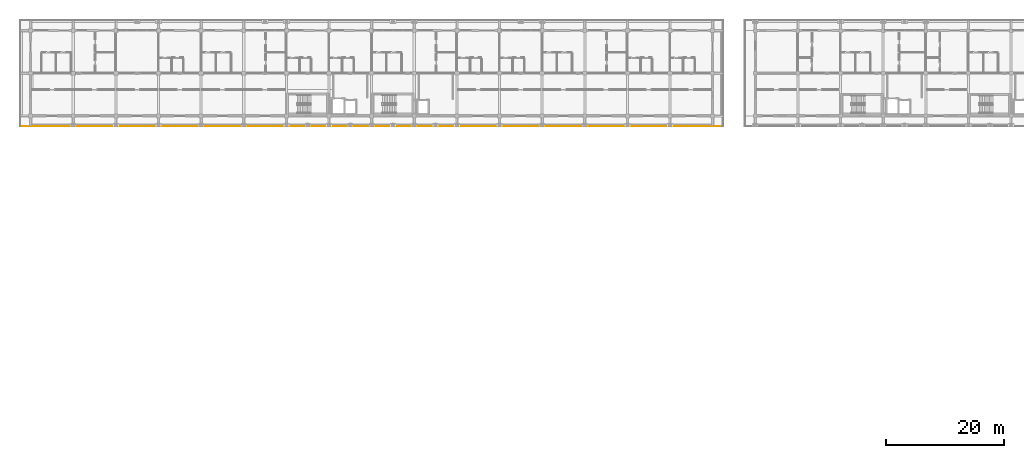
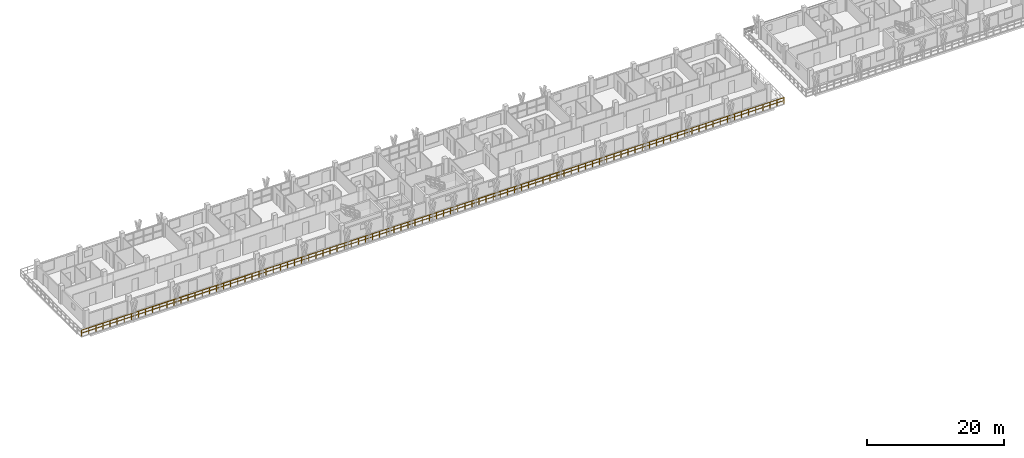
# One storey, part 69 of 78: 1 railing.
"""IFC4 building model written with IfcOpenShell, lengths in metres."""

import ifcopenshell
import ifcopenshell.guid

model = None  # the IFC model being written
_history = None  # IfcOwnerHistory: only IFC2X3 demands one
_inside = {}  # id of a spatial element -> (the spatial element, [elements in it])
_under = {}  # id of a project, library or spatial element -> (it, [spatial elements below it])
_declared = {}  # id of a project -> (the project, [libraries it declares])
_typed = {}  # id of a type object -> (the type object, [elements of that type])
_made_of = {}  # id of a material, layer set ... -> (it, [elements and type objects made of it])


def new_model(schema):
    """Start an empty IFC model of exactly this schema.

    Asked for "IFC4X3", IfcOpenShell would pick the latest addendum, in which some entities
    have other attributes; the version numbers below select the first issue.
    IFC2X3 requires an IfcOwnerHistory on every rooted entity: one is made here for all.
    """
    global model, _history
    if schema == "IFC4X3":
        model = ifcopenshell.file(schema_version=(4, 3, 0, 0))
    else:
        model = ifcopenshell.file(schema=schema)
    _inside.clear()
    _under.clear()
    _declared.clear()
    _typed.clear()
    _made_of.clear()
    _history = None
    if model.schema == "IFC2X3":
        org = make("IfcOrganization", Name="unknown")
        user = make(
            "IfcPersonAndOrganization",
            ThePerson=make("IfcPerson", FamilyName="unknown"),
            TheOrganization=org,
        )
        app = make(
            "IfcApplication",
            ApplicationDeveloper=org,
            Version="unknown",
            ApplicationFullName="unknown",
            ApplicationIdentifier="unknown",
        )
        _history = make(
            "IfcOwnerHistory",
            OwningUser=user,
            OwningApplication=app,
            ChangeAction="ADDED",
            CreationDate=0,
        )
    return model


def make(cls, **values):
    """One entity of the class cls with the attributes given. An attribute that is None is left unset."""
    return model.create_entity(
        cls, **{name: value for name, value in values.items() if value is not None}
    )


def rooted(cls, **values):
    """An entity with a GlobalId (a new one), such as an element, a storey or a relation."""
    return make(cls, GlobalId=ifcopenshell.guid.new(), OwnerHistory=_history, **values)


def si_unit(unit_type, name, prefix=None):
    """IfcSIUnit, for example si_unit("LENGTHUNIT", "METRE", prefix="MILLI")."""
    return make("IfcSIUnit", UnitType=unit_type, Prefix=prefix, Name=name)


def assignment(units):
    """IfcUnitAssignment: the units of a project."""
    return None if units is None else make("IfcUnitAssignment", Units=units)


def point(xyz):
    """IfcCartesianPoint."""
    return None if xyz is None else make("IfcCartesianPoint", Coordinates=xyz)


def direction(xyz):
    """IfcDirection."""
    return None if xyz is None else make("IfcDirection", DirectionRatios=xyz)


def frame(location, z_axis=None, x_axis=None):
    """IfcAxis2Placement3D, a coordinate frame: its origin and axes. An axis left out is left unset."""
    return make(
        "IfcAxis2Placement3D",
        Location=point(location),
        Axis=direction(z_axis),
        RefDirection=direction(x_axis),
    )


def frame_2d(location, x_axis=None):
    """IfcAxis2Placement2D, a coordinate frame in the plane: its origin and x axis."""
    return make(
        "IfcAxis2Placement2D", Location=point(location), RefDirection=direction(x_axis)
    )


def origin():
    """The frame at (0, 0, 0) with its axes left unset."""
    return frame((0.0, 0.0, 0.0))


def origin_2d():
    """The frame at (0, 0) in the plane with its x axis left unset."""
    return frame_2d((0.0, 0.0))


def place(relative_to, where):
    """IfcLocalPlacement: puts the frame where relative to a parent placement (None: the world)."""
    return make(
        "IfcLocalPlacement", PlacementRelTo=relative_to, RelativePlacement=where
    )


def context(
    kind, dimensions, precision=None, world=None, true_north=None, identifier=None
):
    """IfcGeometricRepresentationContext, for example the 3D "Model" context."""
    return make(
        "IfcGeometricRepresentationContext",
        ContextIdentifier=identifier,
        ContextType=kind,
        CoordinateSpaceDimension=dimensions,
        Precision=precision,
        WorldCoordinateSystem=world,
        TrueNorth=true_north,
    )


def subcontext(parent, identifier, kind, view, scale=None):
    """IfcGeometricRepresentationSubContext, for example "Body" below "Model"."""
    return make(
        "IfcGeometricRepresentationSubContext",
        ContextIdentifier=identifier,
        ContextType=kind,
        ParentContext=parent,
        TargetScale=scale,
        TargetView=view,
    )


def project(units=None, contexts=None):
    """IfcProject with its units and contexts."""
    return rooted(
        "IfcProject",
        Name="project",
        RepresentationContexts=contexts,
        UnitsInContext=assignment(units),
    )


def spatial(cls, under=None, at=None, **own):
    """A site, building, storey or space (cls), placed at a placement, below another one or the project."""
    s = rooted(cls, ObjectPlacement=at, **own)
    if under is not None:
        _under.setdefault(under.id(), (under, []))[1].append(s)
    return s


def profile(cls, at=None, kind="AREA", **sizes):
    """A parametric profile (cls). Its sizes go by their IFC names, for example OverallWidth=200.0."""
    return make(cls, ProfileType=kind, Position=at, **sizes)


def rectangle(**sizes):
    """IfcRectangleProfileDef."""
    return profile("IfcRectangleProfileDef", **sizes)


def extrude(swept, where, along, depth):
    """IfcExtrudedAreaSolid: the profile swept, set in the frame where, extruded along a direction by depth."""
    return make(
        "IfcExtrudedAreaSolid",
        SweptArea=swept,
        Position=where,
        ExtrudedDirection=direction(along),
        Depth=depth,
    )


def shape(context_of_items, identifier, shape_type, items):
    """IfcShapeRepresentation: the items that make up one representation, for example the "Body"."""
    return make(
        "IfcShapeRepresentation",
        ContextOfItems=context_of_items,
        RepresentationIdentifier=identifier,
        RepresentationType=shape_type,
        Items=items,
    )


def material(Name=None, Category=None):
    """IfcMaterial."""
    return make("IfcMaterial", Name=Name, Category=Category)


def made_of(thing, what):
    """Note that an element or type object is made of a material, layer set ...; save() writes the relation."""
    if what is not None:
        _made_of.setdefault(what.id(), (what, []))[1].append(thing)
    return thing


def type_object(cls, material=None, **own):
    """A type object (cls), such as IfcWallType, which elements share."""
    return made_of(rooted(cls, **own), material)


def element(
    cls,
    number,
    at=None,
    inside=None,
    cuts=None,
    type_object=None,
    material=None,
    context=None,
    identifier="Body",
    shape_type=None,
    held_by="IfcProductDefinitionShape",
    body=None,
    shapes=None,
    **own,
):
    """One element of the class cls, such as IfcWall. Its Tag is "e" and its number.

    at: its placement. inside: the storey or other place that contains it. cuts: it is an
    opening in that element (IfcRelVoidsElement). A single representation is given by context,
    identifier, shape_type and body (its items); several are given by shapes. held_by: the class
    of the entity that holds the representations. save() writes the other relations.
    """
    e = rooted(cls, Tag="e%d" % number, ObjectPlacement=at, **own)
    if body is not None:
        shapes = [shape(context, identifier, shape_type, body)]
    if shapes is not None:
        e.Representation = make(held_by, Representations=shapes)
    if inside is not None:
        _inside.setdefault(inside.id(), (inside, []))[1].append(e)
    if cuts is not None:
        rooted(
            "IfcRelVoidsElement", RelatingBuildingElement=cuts, RelatedOpeningElement=e
        )
    if type_object is not None:
        _typed.setdefault(type_object.id(), (type_object, []))[1].append(e)
    return made_of(e, material)


def aggregate(whole, parts):
    """IfcRelAggregates: a whole, such as a stair, and the parts it consists of."""
    return rooted("IfcRelAggregates", RelatingObject=whole, RelatedObjects=parts)


def save(model, path):
    """Write the relations noted so far, then the file.

    IfcRelAggregates (storeys below a building ...), IfcRelContainedInSpatialStructure (elements
    in a storey), IfcRelDefinesByType, IfcRelAssociatesMaterial and IfcRelDeclares: one each for
    every whole, place, type object, material and project.
    """
    for whole, parts in _under.values():
        aggregate(whole, parts)
    for where, things in _inside.values():
        rooted(
            "IfcRelContainedInSpatialStructure",
            RelatedElements=things,
            RelatingStructure=where,
        )
    for kind, things in _typed.values():
        rooted("IfcRelDefinesByType", RelatedObjects=things, RelatingType=kind)
    for what, things in _made_of.values():
        rooted("IfcRelAssociatesMaterial", RelatedObjects=things, RelatingMaterial=what)
    for by, libraries in _declared.values():
        rooted("IfcRelDeclares", RelatingContext=by, RelatedDefinitions=libraries)
    model.write(path)


model = new_model("IFC4")

# Units and contexts
model_context = context("Model", 3, precision=1e-05, world=origin(), true_north=direction((0.0, 1.0)))
body_context = subcontext(model_context, "Body", "Model", "MODEL_VIEW")
ifc_project = project(units=[si_unit("LENGTHUNIT", "METRE"), si_unit("AREAUNIT", "SQUARE_METRE"), si_unit("VOLUMEUNIT", "CUBIC_METRE"), si_unit("PLANEANGLEUNIT", "RADIAN"), si_unit("MASSUNIT", "GRAM", prefix="KILO")], contexts=[model_context])

# Site, building, storey
site_placement = place(None, origin())
site = spatial("IfcSite", under=ifc_project, at=site_placement, CompositionType="ELEMENT")
building_placement = place(site_placement, origin())
building = spatial("IfcBuilding", under=site, at=building_placement, Name="Suanplinth Sawtooth Commons", CompositionType="ELEMENT")
storey_placement = place(building_placement, frame((0.0, 0.0, 15.39990234375)))
storey = spatial("IfcBuildingStorey", under=building, at=storey_placement, Name="L04", CompositionType="ELEMENT", Elevation=15.39990234375)

# Railing
ifc_material = material(Name="Powder-coated galvanized steel", Category="steel")
railing_type = type_object("IfcRailingType", Name="GR-01", PredefinedType="BALUSTRADE", material=ifc_material)
railing_placement = place(storey_placement, frame((116.93994140625, 106.260009765625, 0.0)))
element("IfcRailing", 1, at=railing_placement, inside=storey, type_object=railing_type, Name="L04 Block A Perimeter Balustrade 4", PredefinedType="BALUSTRADE", context=body_context, shape_type="SweptSolid", body=[
    extrude(rectangle(XDim=0.048095703125, YDim=0.048095703125, at=origin_2d()), frame((0.0, 0.0, 1.09619140625), z_axis=(-1.0, 0.0, 0.0), x_axis=(0.0, -1.0, 0.0)), (0.0, 0.0, 1.0), 118.679931640625),
    extrude(rectangle(XDim=0.03369140625, YDim=0.03369140625, at=origin_2d()), frame((0.0, 0.0, 0.56005859375), z_axis=(-1.0, 0.0, 0.0), x_axis=(0.0, -1.0, 0.0)), (0.0, 0.0, 1.0), 118.679931640625),
    extrude(rectangle(XDim=0.0419921875, YDim=0.0419921875, at=origin_2d()), origin(), (0.0, 0.0, 1.0), 1.072021484375),
    extrude(rectangle(XDim=0.0419921875, YDim=0.0419921875, at=origin_2d()), frame((-1.19873046875, 0.0, 0.0)), (0.0, 0.0, 1.0), 1.072021484375),
    extrude(rectangle(XDim=0.0419921875, YDim=0.0419921875, at=origin_2d()), frame((-2.3974609375, 0.0, 0.0)), (0.0, 0.0, 1.0), 1.072021484375),
    extrude(rectangle(XDim=0.0419921875, YDim=0.0419921875, at=origin_2d()), frame((-3.596435546875, 0.0, 0.0)), (0.0, 0.0, 1.0), 1.072021484375),
    extrude(rectangle(XDim=0.0419921875, YDim=0.0419921875, at=origin_2d()), frame((-4.795166015625, 0.0, 0.0)), (0.0, 0.0, 1.0), 1.072021484375),
    extrude(rectangle(XDim=0.0419921875, YDim=0.0419921875, at=origin_2d()), frame((-5.993896484375, 0.0, 0.0)), (0.0, 0.0, 1.0), 1.072021484375),
    extrude(rectangle(XDim=0.0419921875, YDim=0.0419921875, at=origin_2d()), frame((-7.192626953125, 0.0, 0.0)), (0.0, 0.0, 1.0), 1.072021484375),
    extrude(rectangle(XDim=0.0419921875, YDim=0.0419921875, at=origin_2d()), frame((-8.3916015625, 0.0, 0.0)), (0.0, 0.0, 1.0), 1.072021484375),
    extrude(rectangle(XDim=0.0419921875, YDim=0.0419921875, at=origin_2d()), frame((-9.59033203125, 0.0, 0.0)), (0.0, 0.0, 1.0), 1.072021484375),
    extrude(rectangle(XDim=0.0419921875, YDim=0.0419921875, at=origin_2d()), frame((-10.7890625, 0.0, 0.0)), (0.0, 0.0, 1.0), 1.072021484375),
    extrude(rectangle(XDim=0.0419921875, YDim=0.0419921875, at=origin_2d()), frame((-11.98779296875, 0.0, 0.0)), (0.0, 0.0, 1.0), 1.072021484375),
    extrude(rectangle(XDim=0.0419921875, YDim=0.0419921875, at=origin_2d()), frame((-13.186767578125, 0.0, 0.0)), (0.0, 0.0, 1.0), 1.072021484375),
    extrude(rectangle(XDim=0.0419921875, YDim=0.0419921875, at=origin_2d()), frame((-14.385498046875, 0.0, 0.0)), (0.0, 0.0, 1.0), 1.072021484375),
    extrude(rectangle(XDim=0.0419921875, YDim=0.0419921875, at=origin_2d()), frame((-15.584228515625, 0.0, 0.0)), (0.0, 0.0, 1.0), 1.072021484375),
    extrude(rectangle(XDim=0.0419921875, YDim=0.0419921875, at=origin_2d()), frame((-16.782958984375, 0.0, 0.0)), (0.0, 0.0, 1.0), 1.072021484375),
    extrude(rectangle(XDim=0.0419921875, YDim=0.0419921875, at=origin_2d()), frame((-17.981689453125, 0.0, 0.0)), (0.0, 0.0, 1.0), 1.072021484375),
    extrude(rectangle(XDim=0.0419921875, YDim=0.0419921875, at=origin_2d()), frame((-19.1806640625, 0.0, 0.0)), (0.0, 0.0, 1.0), 1.072021484375),
    extrude(rectangle(XDim=0.0419921875, YDim=0.0419921875, at=origin_2d()), frame((-20.37939453125, 0.0, 0.0)), (0.0, 0.0, 1.0), 1.072021484375),
    extrude(rectangle(XDim=0.0419921875, YDim=0.0419921875, at=origin_2d()), frame((-21.578125, 0.0, 0.0)), (0.0, 0.0, 1.0), 1.072021484375),
    extrude(rectangle(XDim=0.0419921875, YDim=0.0419921875, at=origin_2d()), frame((-22.77685546875, 0.0, 0.0)), (0.0, 0.0, 1.0), 1.072021484375),
    extrude(rectangle(XDim=0.0419921875, YDim=0.0419921875, at=origin_2d()), frame((-23.975830078125, 0.0, 0.0)), (0.0, 0.0, 1.0), 1.072021484375),
    extrude(rectangle(XDim=0.0419921875, YDim=0.0419921875, at=origin_2d()), frame((-25.174560546875, 0.0, 0.0)), (0.0, 0.0, 1.0), 1.072021484375),
    extrude(rectangle(XDim=0.0419921875, YDim=0.0419921875, at=origin_2d()), frame((-26.373291015625, 0.0, 0.0)), (0.0, 0.0, 1.0), 1.072021484375),
    extrude(rectangle(XDim=0.0419921875, YDim=0.0419921875, at=origin_2d()), frame((-27.572021484375, 0.0, 0.0)), (0.0, 0.0, 1.0), 1.072021484375),
    extrude(rectangle(XDim=0.0419921875, YDim=0.0419921875, at=origin_2d()), frame((-28.77099609375, 0.0, 0.0)), (0.0, 0.0, 1.0), 1.072021484375),
    extrude(rectangle(XDim=0.0419921875, YDim=0.0419921875, at=origin_2d()), frame((-29.9697265625, 0.0, 0.0)), (0.0, 0.0, 1.0), 1.072021484375),
    extrude(rectangle(XDim=0.0419921875, YDim=0.0419921875, at=origin_2d()), frame((-31.16845703125, 0.0, 0.0)), (0.0, 0.0, 1.0), 1.072021484375),
    extrude(rectangle(XDim=0.0419921875, YDim=0.0419921875, at=origin_2d()), frame((-32.3671875, 0.0, 0.0)), (0.0, 0.0, 1.0), 1.072021484375),
    extrude(rectangle(XDim=0.0419921875, YDim=0.0419921875, at=origin_2d()), frame((-33.566162109375, 0.0, 0.0)), (0.0, 0.0, 1.0), 1.072021484375),
    extrude(rectangle(XDim=0.0419921875, YDim=0.0419921875, at=origin_2d()), frame((-34.764892578125, 0.0, 0.0)), (0.0, 0.0, 1.0), 1.072021484375),
    extrude(rectangle(XDim=0.0419921875, YDim=0.0419921875, at=origin_2d()), frame((-35.963623046875, 0.0, 0.0)), (0.0, 0.0, 1.0), 1.072021484375),
    extrude(rectangle(XDim=0.0419921875, YDim=0.0419921875, at=origin_2d()), frame((-37.162353515625, 0.0, 0.0)), (0.0, 0.0, 1.0), 1.072021484375),
    extrude(rectangle(XDim=0.0419921875, YDim=0.0419921875, at=origin_2d()), frame((-38.361083984375, 0.0, 0.0)), (0.0, 0.0, 1.0), 1.072021484375),
    extrude(rectangle(XDim=0.0419921875, YDim=0.0419921875, at=origin_2d()), frame((-39.56005859375, 0.0, 0.0)), (0.0, 0.0, 1.0), 1.072021484375),
    extrude(rectangle(XDim=0.0419921875, YDim=0.0419921875, at=origin_2d()), frame((-40.7587890625, 0.0, 0.0)), (0.0, 0.0, 1.0), 1.072021484375),
    extrude(rectangle(XDim=0.0419921875, YDim=0.0419921875, at=origin_2d()), frame((-41.95751953125, 0.0, 0.0)), (0.0, 0.0, 1.0), 1.072021484375),
    extrude(rectangle(XDim=0.0419921875, YDim=0.0419921875, at=origin_2d()), frame((-43.15625, 0.0, 0.0)), (0.0, 0.0, 1.0), 1.072021484375),
    extrude(rectangle(XDim=0.0419921875, YDim=0.0419921875, at=origin_2d()), frame((-44.355224609375, 0.0, 0.0)), (0.0, 0.0, 1.0), 1.072021484375),
    extrude(rectangle(XDim=0.0419921875, YDim=0.0419921875, at=origin_2d()), frame((-45.553955078125, 0.0, 0.0)), (0.0, 0.0, 1.0), 1.072021484375),
    extrude(rectangle(XDim=0.0419921875, YDim=0.0419921875, at=origin_2d()), frame((-46.752685546875, 0.0, 0.0)), (0.0, 0.0, 1.0), 1.072021484375),
    extrude(rectangle(XDim=0.0419921875, YDim=0.0419921875, at=origin_2d()), frame((-47.951416015625, 0.0, 0.0)), (0.0, 0.0, 1.0), 1.072021484375),
    extrude(rectangle(XDim=0.0419921875, YDim=0.0419921875, at=origin_2d()), frame((-49.150390625, 0.0, 0.0)), (0.0, 0.0, 1.0), 1.072021484375),
    extrude(rectangle(XDim=0.0419921875, YDim=0.0419921875, at=origin_2d()), frame((-50.34912109375, 0.0, 0.0)), (0.0, 0.0, 1.0), 1.072021484375),
    extrude(rectangle(XDim=0.0419921875, YDim=0.0419921875, at=origin_2d()), frame((-51.5478515625, 0.0, 0.0)), (0.0, 0.0, 1.0), 1.072021484375),
    extrude(rectangle(XDim=0.0419921875, YDim=0.0419921875, at=origin_2d()), frame((-52.74658203125, 0.0, 0.0)), (0.0, 0.0, 1.0), 1.072021484375),
    extrude(rectangle(XDim=0.0419921875, YDim=0.0419921875, at=origin_2d()), frame((-53.9453125, 0.0, 0.0)), (0.0, 0.0, 1.0), 1.072021484375),
    extrude(rectangle(XDim=0.0419921875, YDim=0.0419921875, at=origin_2d()), frame((-55.144287109375, 0.0, 0.0)), (0.0, 0.0, 1.0), 1.072021484375),
    extrude(rectangle(XDim=0.0419921875, YDim=0.0419921875, at=origin_2d()), frame((-56.343017578125, 0.0, 0.0)), (0.0, 0.0, 1.0), 1.072021484375),
    extrude(rectangle(XDim=0.0419921875, YDim=0.0419921875, at=origin_2d()), frame((-57.541748046875, 0.0, 0.0)), (0.0, 0.0, 1.0), 1.072021484375),
    extrude(rectangle(XDim=0.0419921875, YDim=0.0419921875, at=origin_2d()), frame((-58.740478515625, 0.0, 0.0)), (0.0, 0.0, 1.0), 1.072021484375),
    extrude(rectangle(XDim=0.0419921875, YDim=0.0419921875, at=origin_2d()), frame((-59.939453125, 0.0, 0.0)), (0.0, 0.0, 1.0), 1.072021484375),
    extrude(rectangle(XDim=0.0419921875, YDim=0.0419921875, at=origin_2d()), frame((-61.13818359375, 0.0, 0.0)), (0.0, 0.0, 1.0), 1.072021484375),
    extrude(rectangle(XDim=0.0419921875, YDim=0.0419921875, at=origin_2d()), frame((-62.3369140625, 0.0, 0.0)), (0.0, 0.0, 1.0), 1.072021484375),
    extrude(rectangle(XDim=0.0419921875, YDim=0.0419921875, at=origin_2d()), frame((-63.53564453125, 0.0, 0.0)), (0.0, 0.0, 1.0), 1.072021484375),
    extrude(rectangle(XDim=0.0419921875, YDim=0.0419921875, at=origin_2d()), frame((-64.734619140625, 0.0, 0.0)), (0.0, 0.0, 1.0), 1.072021484375),
    extrude(rectangle(XDim=0.0419921875, YDim=0.0419921875, at=origin_2d()), frame((-65.933349609375, 0.0, 0.0)), (0.0, 0.0, 1.0), 1.072021484375),
    extrude(rectangle(XDim=0.0419921875, YDim=0.0419921875, at=origin_2d()), frame((-67.132080078125, 0.0, 0.0)), (0.0, 0.0, 1.0), 1.072021484375),
    extrude(rectangle(XDim=0.0419921875, YDim=0.0419921875, at=origin_2d()), frame((-68.330810546875, 0.0, 0.0)), (0.0, 0.0, 1.0), 1.072021484375),
    extrude(rectangle(XDim=0.0419921875, YDim=0.0419921875, at=origin_2d()), frame((-69.529541015625, 0.0, 0.0)), (0.0, 0.0, 1.0), 1.072021484375),
    extrude(rectangle(XDim=0.0419921875, YDim=0.0419921875, at=origin_2d()), frame((-70.728515625, 0.0, 0.0)), (0.0, 0.0, 1.0), 1.072021484375),
    extrude(rectangle(XDim=0.0419921875, YDim=0.0419921875, at=origin_2d()), frame((-71.92724609375, 0.0, 0.0)), (0.0, 0.0, 1.0), 1.072021484375),
    extrude(rectangle(XDim=0.0419921875, YDim=0.0419921875, at=origin_2d()), frame((-73.1259765625, 0.0, 0.0)), (0.0, 0.0, 1.0), 1.072021484375),
    extrude(rectangle(XDim=0.0419921875, YDim=0.0419921875, at=origin_2d()), frame((-74.32470703125, 0.0, 0.0)), (0.0, 0.0, 1.0), 1.072021484375),
    extrude(rectangle(XDim=0.0419921875, YDim=0.0419921875, at=origin_2d()), frame((-75.523681640625, 0.0, 0.0)), (0.0, 0.0, 1.0), 1.072021484375),
    extrude(rectangle(XDim=0.0419921875, YDim=0.0419921875, at=origin_2d()), frame((-76.722412109375, 0.0, 0.0)), (0.0, 0.0, 1.0), 1.072021484375),
    extrude(rectangle(XDim=0.0419921875, YDim=0.0419921875, at=origin_2d()), frame((-77.921142578125, 0.0, 0.0)), (0.0, 0.0, 1.0), 1.072021484375),
    extrude(rectangle(XDim=0.0419921875, YDim=0.0419921875, at=origin_2d()), frame((-79.119873046875, 0.0, 0.0)), (0.0, 0.0, 1.0), 1.072021484375),
    extrude(rectangle(XDim=0.0419921875, YDim=0.0419921875, at=origin_2d()), frame((-80.31884765625, 0.0, 0.0)), (0.0, 0.0, 1.0), 1.072021484375),
    extrude(rectangle(XDim=0.0419921875, YDim=0.0419921875, at=origin_2d()), frame((-81.517578125, 0.0, 0.0)), (0.0, 0.0, 1.0), 1.072021484375),
    extrude(rectangle(XDim=0.0419921875, YDim=0.0419921875, at=origin_2d()), frame((-82.71630859375, 0.0, 0.0)), (0.0, 0.0, 1.0), 1.072021484375),
    extrude(rectangle(XDim=0.0419921875, YDim=0.0419921875, at=origin_2d()), frame((-83.9150390625, 0.0, 0.0)), (0.0, 0.0, 1.0), 1.072021484375),
    extrude(rectangle(XDim=0.0419921875, YDim=0.0419921875, at=origin_2d()), frame((-85.11376953125, 0.0, 0.0)), (0.0, 0.0, 1.0), 1.072021484375),
    extrude(rectangle(XDim=0.0419921875, YDim=0.0419921875, at=origin_2d()), frame((-86.312744140625, 0.0, 0.0)), (0.0, 0.0, 1.0), 1.072021484375),
    extrude(rectangle(XDim=0.0419921875, YDim=0.0419921875, at=origin_2d()), frame((-87.511474609375, 0.0, 0.0)), (0.0, 0.0, 1.0), 1.072021484375),
    extrude(rectangle(XDim=0.0419921875, YDim=0.0419921875, at=origin_2d()), frame((-88.710205078125, 0.0, 0.0)), (0.0, 0.0, 1.0), 1.072021484375),
    extrude(rectangle(XDim=0.0419921875, YDim=0.0419921875, at=origin_2d()), frame((-89.908935546875, 0.0, 0.0)), (0.0, 0.0, 1.0), 1.072021484375),
    extrude(rectangle(XDim=0.0419921875, YDim=0.0419921875, at=origin_2d()), frame((-91.10791015625, 0.0, 0.0)), (0.0, 0.0, 1.0), 1.072021484375),
    extrude(rectangle(XDim=0.0419921875, YDim=0.0419921875, at=origin_2d()), frame((-92.306640625, 0.0, 0.0)), (0.0, 0.0, 1.0), 1.072021484375),
    extrude(rectangle(XDim=0.0419921875, YDim=0.0419921875, at=origin_2d()), frame((-93.50537109375, 0.0, 0.0)), (0.0, 0.0, 1.0), 1.072021484375),
    extrude(rectangle(XDim=0.0419921875, YDim=0.0419921875, at=origin_2d()), frame((-94.7041015625, 0.0, 0.0)), (0.0, 0.0, 1.0), 1.072021484375),
    extrude(rectangle(XDim=0.0419921875, YDim=0.0419921875, at=origin_2d()), frame((-95.903076171875, 0.0, 0.0)), (0.0, 0.0, 1.0), 1.072021484375),
    extrude(rectangle(XDim=0.0419921875, YDim=0.0419921875, at=origin_2d()), frame((-97.101806640625, 0.0, 0.0)), (0.0, 0.0, 1.0), 1.072021484375),
    extrude(rectangle(XDim=0.0419921875, YDim=0.0419921875, at=origin_2d()), frame((-98.300537109375, 0.0, 0.0)), (0.0, 0.0, 1.0), 1.072021484375),
    extrude(rectangle(XDim=0.0419921875, YDim=0.0419921875, at=origin_2d()), frame((-99.499267578125, 0.0, 0.0)), (0.0, 0.0, 1.0), 1.072021484375),
    extrude(rectangle(XDim=0.0419921875, YDim=0.0419921875, at=origin_2d()), frame((-100.6982421875, 0.0, 0.0)), (0.0, 0.0, 1.0), 1.072021484375),
    extrude(rectangle(XDim=0.0419921875, YDim=0.0419921875, at=origin_2d()), frame((-101.89697265625, 0.0, 0.0)), (0.0, 0.0, 1.0), 1.072021484375),
    extrude(rectangle(XDim=0.0419921875, YDim=0.0419921875, at=origin_2d()), frame((-103.095703125, 0.0, 0.0)), (0.0, 0.0, 1.0), 1.072021484375),
    extrude(rectangle(XDim=0.0419921875, YDim=0.0419921875, at=origin_2d()), frame((-104.29443359375, 0.0, 0.0)), (0.0, 0.0, 1.0), 1.072021484375),
    extrude(rectangle(XDim=0.0419921875, YDim=0.0419921875, at=origin_2d()), frame((-105.4931640625, 0.0, 0.0)), (0.0, 0.0, 1.0), 1.072021484375),
    extrude(rectangle(XDim=0.0419921875, YDim=0.0419921875, at=origin_2d()), frame((-106.692138671875, 0.0, 0.0)), (0.0, 0.0, 1.0), 1.072021484375),
    extrude(rectangle(XDim=0.0419921875, YDim=0.0419921875, at=origin_2d()), frame((-107.890869140625, 0.0, 0.0)), (0.0, 0.0, 1.0), 1.072021484375),
    extrude(rectangle(XDim=0.0419921875, YDim=0.0419921875, at=origin_2d()), frame((-109.089599609375, 0.0, 0.0)), (0.0, 0.0, 1.0), 1.072021484375),
    extrude(rectangle(XDim=0.0419921875, YDim=0.0419921875, at=origin_2d()), frame((-110.288330078125, 0.0, 0.0)), (0.0, 0.0, 1.0), 1.072021484375),
    extrude(rectangle(XDim=0.0419921875, YDim=0.0419921875, at=origin_2d()), frame((-111.4873046875, 0.0, 0.0)), (0.0, 0.0, 1.0), 1.072021484375),
    extrude(rectangle(XDim=0.0419921875, YDim=0.0419921875, at=origin_2d()), frame((-112.68603515625, 0.0, 0.0)), (0.0, 0.0, 1.0), 1.072021484375),
    extrude(rectangle(XDim=0.0419921875, YDim=0.0419921875, at=origin_2d()), frame((-113.884765625, 0.0, 0.0)), (0.0, 0.0, 1.0), 1.072021484375),
    extrude(rectangle(XDim=0.0419921875, YDim=0.0419921875, at=origin_2d()), frame((-115.08349609375, 0.0, 0.0)), (0.0, 0.0, 1.0), 1.072021484375),
    extrude(rectangle(XDim=0.0419921875, YDim=0.0419921875, at=origin_2d()), frame((-116.282470703125, 0.0, 0.0)), (0.0, 0.0, 1.0), 1.072021484375),
    extrude(rectangle(XDim=0.0419921875, YDim=0.0419921875, at=origin_2d()), frame((-117.481201171875, 0.0, 0.0)), (0.0, 0.0, 1.0), 1.072021484375),
    extrude(rectangle(XDim=0.0419921875, YDim=0.0419921875, at=origin_2d()), frame((-118.679931640625, 0.0, 0.0)), (0.0, 0.0, 1.0), 1.072021484375),
])

save(model, "model.ifc")
